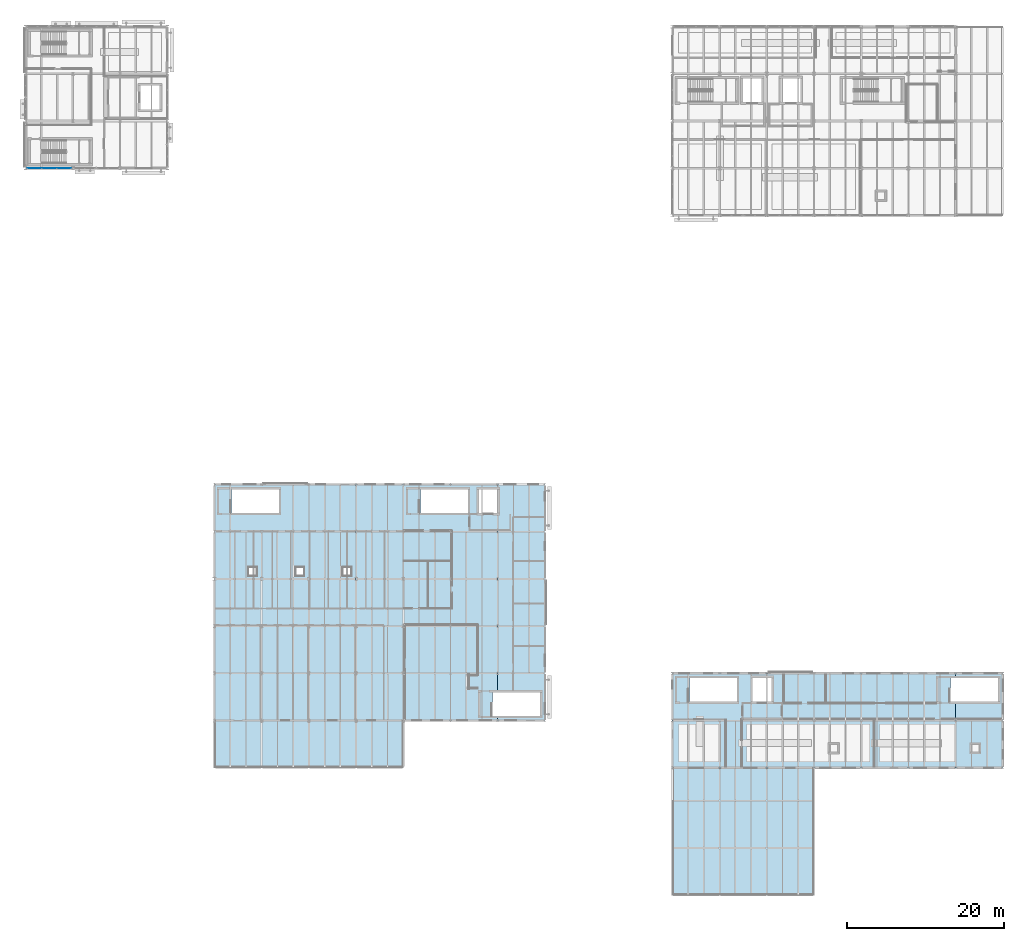
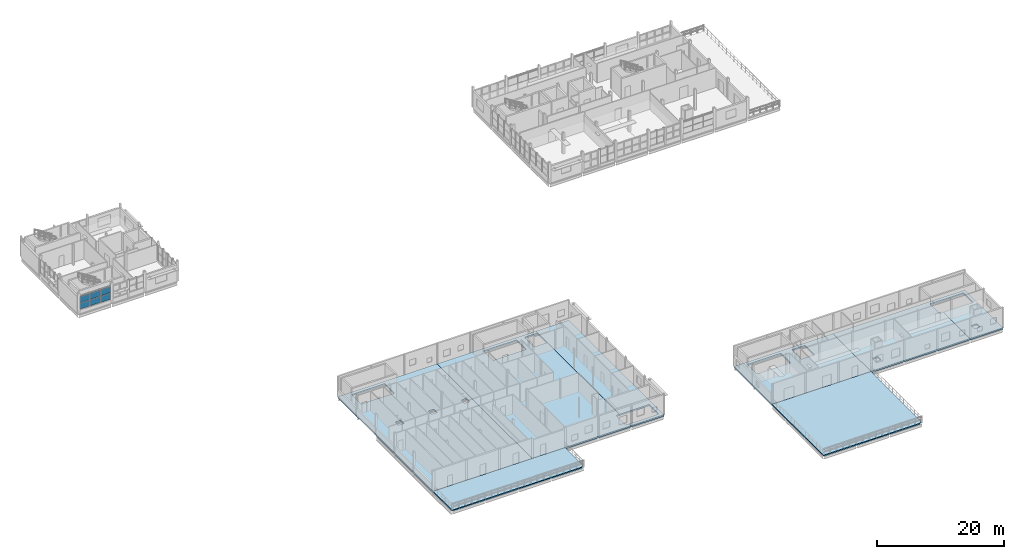
# One storey, part 21 of 45: 8 slabs, 6 plates, 1 element without a shape of its own.
"""IFC4 building model written with IfcOpenShell, lengths in metres."""

from ifc_helpers import new_model, si_unit, direction, frame, origin, origin_2d, place, context, subcontext, project, spatial, polyline, rectangle, outline, extrude, material, layer, layer_set, type_object, element, aggregate, save


model = new_model("IFC4")

# Units and contexts
model_context = context("Model", 3, precision=1e-05, world=origin(), true_north=direction((0.0, 1.0)))
body_context = subcontext(model_context, "Body", "Model", "MODEL_VIEW")
ifc_project = project(units=[si_unit("LENGTHUNIT", "METRE"), si_unit("AREAUNIT", "SQUARE_METRE"), si_unit("VOLUMEUNIT", "CUBIC_METRE"), si_unit("PLANEANGLEUNIT", "RADIAN"), si_unit("MASSUNIT", "GRAM", prefix="KILO")], contexts=[model_context])

# Site, building, storey
site_placement = place(None, origin())
site = spatial("IfcSite", under=ifc_project, at=site_placement, CompositionType="ELEMENT")
building_placement = place(site_placement, origin())
building = spatial("IfcBuilding", under=site, at=building_placement, Name="Siltcreek Boulevard Central Fire Station", CompositionType="ELEMENT")
storey_placement = place(building_placement, frame((0.0, 0.0, 10.0)))
storey = spatial("IfcBuildingStorey", under=building, at=storey_placement, Name="L03", CompositionType="ELEMENT", Elevation=10.0)

# Curtain wall, plates
ifc_material_1 = material(Name="Anodized aluminum and low-E insulated glazing", Category="aluminium")
curtain_wall_type = type_object("IfcCurtainWallType", Name="CW_SYS_16", PredefinedType="USERDEFINED", material=ifc_material_1)
curtain_wall_placement = place(storey_placement, origin())
curtain_wall = element("IfcCurtainWall", 1, at=curtain_wall_placement, inside=storey, type_object=curtain_wall_type, Name="L03 V3 unitised curtain wall CW-045", ObjectType="CURTAIN WALL", PredefinedType="USERDEFINED")
ifc_material_2 = material(Name="Low-E double insulated glass unit", Category="glass")
ifc_layer_1 = layer(ifc_material_2, 0.028076171875, Name="Low-E double insulated glass unit")
ifc_layer_set_1 = layer_set([ifc_layer_1], Name="Low-E double insulated glass unit")
plate_type = type_object("IfcPlateType", Name="CWP_GLZ_1", PredefinedType="CURTAIN_PANEL", material=ifc_layer_set_1)
plate_1_placement = place(storey_placement, frame((43.111572265625, 94.199951171875, 0.73974609375), z_axis=(0.0, 0.0, 1.0), x_axis=(1.0, 0.0, 0.0)))
plate_1 = element("IfcPlate", 2, at=plate_1_placement, type_object=plate_type, Name="CW-045 panel 1.1", PredefinedType="CURTAIN_PANEL", context=body_context, shape_type="SweptSolid", body=[
    extrude(rectangle(XDim=1.813232421875, YDim=0.028076171875, at=origin_2d()), origin(), (0.0, 0.0, 1.0), 1.194580078125),
])
plate_2_placement = place(storey_placement, frame((43.111572265625, 94.199951171875, 1.99462890625), z_axis=(0.0, 0.0, 1.0), x_axis=(1.0, 0.0, 0.0)))
plate_2 = element("IfcPlate", 3, at=plate_2_placement, type_object=plate_type, Name="CW-045 panel 1.2", PredefinedType="CURTAIN_PANEL", context=body_context, shape_type="SweptSolid", body=[
    extrude(rectangle(XDim=1.813232421875, YDim=0.028076171875, at=origin_2d()), origin(), (0.0, 0.0, 1.0), 1.194580078125),
])
plate_3_placement = place(storey_placement, frame((45.0, 94.199951171875, 0.73974609375), z_axis=(0.0, 0.0, 1.0), x_axis=(1.0, 0.0, 0.0)))
plate_3 = element("IfcPlate", 4, at=plate_3_placement, type_object=plate_type, Name="CW-045 panel 2.1", PredefinedType="CURTAIN_PANEL", context=body_context, shape_type="SweptSolid", body=[
    extrude(rectangle(XDim=1.84326171875, YDim=0.028076171875, at=origin_2d()), origin(), (0.0, 0.0, 1.0), 1.194580078125),
])
plate_4_placement = place(storey_placement, frame((45.0, 94.199951171875, 1.99462890625), z_axis=(0.0, 0.0, 1.0), x_axis=(1.0, 0.0, 0.0)))
plate_4 = element("IfcPlate", 5, at=plate_4_placement, type_object=plate_type, Name="CW-045 panel 2.2", PredefinedType="CURTAIN_PANEL", context=body_context, shape_type="SweptSolid", body=[
    extrude(rectangle(XDim=1.84326171875, YDim=0.028076171875, at=origin_2d()), origin(), (0.0, 0.0, 1.0), 1.194580078125),
])
plate_5_placement = place(storey_placement, frame((46.888427734375, 94.199951171875, 0.73974609375), z_axis=(0.0, 0.0, 1.0), x_axis=(1.0, 0.0, 0.0)))
plate_5 = element("IfcPlate", 6, at=plate_5_placement, type_object=plate_type, Name="CW-045 panel 3.1", PredefinedType="CURTAIN_PANEL", context=body_context, shape_type="SweptSolid", body=[
    extrude(rectangle(XDim=1.813232421875, YDim=0.028076171875, at=origin_2d()), origin(), (0.0, 0.0, 1.0), 1.194580078125),
])
plate_6_placement = place(storey_placement, frame((46.888427734375, 94.199951171875, 1.99462890625), z_axis=(0.0, 0.0, 1.0), x_axis=(1.0, 0.0, 0.0)))
plate_6 = element("IfcPlate", 7, at=plate_6_placement, type_object=plate_type, Name="CW-045 panel 3.2", PredefinedType="CURTAIN_PANEL", context=body_context, shape_type="SweptSolid", body=[
    extrude(rectangle(XDim=1.813232421875, YDim=0.028076171875, at=origin_2d()), origin(), (0.0, 0.0, 1.0), 1.194580078125),
])
aggregate(curtain_wall, [plate_1, plate_2, plate_3, plate_4, plate_5, plate_6])

# Slabs
ifc_material_3 = material(Name="Concrete C35/45", Category="concrete")
ifc_layer_2 = layer(ifc_material_3, 0.280029296875, Name="Concrete C35/45")
ifc_layer_set_2 = layer_set([ifc_layer_2], Name="Concrete C35/45")
slab_type_1 = type_object("IfcSlabType", Name="SL_FLR280", PredefinedType="FLOOR", material=ifc_layer_set_2)
slab_1_placement = place(storey_placement, frame((0.0, 0.0, -0.280029296875)))
element("IfcSlab", 8, at=slab_1_placement, inside=storey, type_object=slab_type_1, Name="L03 V2 structural floor slab SL-035", PredefinedType="FLOOR", context=body_context, shape_type="SweptSolid", body=[
    extrude(outline(polyline([(66.0, 54.0), (84.0, 54.0), (84.0, 24.0), (66.0, 24.0), (66.0, 54.0)]), holes=[polyline([(71.35009765625, 42.449951171875), (71.35009765625, 43.449951171875), (70.35009765625, 43.449951171875), (70.35009765625, 42.449951171875), (71.35009765625, 42.449951171875)]), polyline([(77.35009765625, 42.449951171875), (77.35009765625, 43.449951171875), (76.35009765625, 43.449951171875), (76.35009765625, 42.449951171875), (77.35009765625, 42.449951171875)]), polyline([(83.35009765625, 42.449951171875), (83.35009765625, 43.449951171875), (82.35009765625, 43.449951171875), (82.35009765625, 42.449951171875), (83.35009765625, 42.449951171875)]), polyline([(74.199951171875, 50.39990234375), (74.199951171875, 53.39990234375), (68.159912109375, 53.39990234375), (68.159912109375, 50.39990234375), (74.199951171875, 50.39990234375)])]), origin(), (0.0, 0.0, 1.0), 0.280029296875),
])
slab_2_placement = place(storey_placement, frame((0.0, 0.0, -0.280029296875)))
element("IfcSlab", 9, at=slab_2_placement, inside=storey, type_object=slab_type_1, Name="L03 V2 structural floor slab SL-036", PredefinedType="FLOOR", context=body_context, shape_type="SweptSolid", body=[
    extrude(outline(polyline([(102.0, 24.0), (84.0, 24.0), (84.0, 54.0), (102.0, 54.0), (102.0, 53.39990234375), (99.60009765625, 53.39990234375), (99.60009765625, 50.39990234375), (102.0, 50.39990234375), (102.0, 27.60009765625), (101.360107421875, 27.60009765625), (101.360107421875, 24.60009765625), (102.0, 24.60009765625), (102.0, 24.0)]), holes=[polyline([(98.199951171875, 50.39990234375), (98.199951171875, 53.39990234375), (92.159912109375, 53.39990234375), (92.159912109375, 50.39990234375), (98.199951171875, 50.39990234375)])]), origin(), (0.0, 0.0, 1.0), 0.280029296875),
])
slab_3_placement = place(storey_placement, frame((0.0, 0.0, -0.280029296875)))
element("IfcSlab", 10, at=slab_3_placement, inside=storey, type_object=slab_type_1, Name="L03 V2 structural floor slab SL-037", PredefinedType="FLOOR", context=body_context, shape_type="SweptSolid", body=[
    extrude(outline(polyline([(102.0, 54.0), (108.0, 54.0), (108.0, 24.0), (102.0, 24.0), (102.0, 24.60009765625), (107.39990234375, 24.60009765625), (107.39990234375, 27.60009765625), (102.0, 27.60009765625), (102.0, 50.39990234375), (102.0, 53.39990234375), (102.0, 54.0)])), origin(), (0.0, 0.0, 1.0), 0.280029296875),
])
slab_4_placement = place(storey_placement, frame((0.0, 0.0, -0.280029296875)))
element("IfcSlab", 11, at=slab_4_placement, inside=storey, type_object=slab_type_1, Name="L03 V6 structural floor slab SL-043", PredefinedType="FLOOR", context=body_context, shape_type="SweptSolid", body=[
    extrude(outline(polyline([(124.199951171875, 30.0), (142.199951171875, 30.0), (142.199951171875, 18.0), (124.199951171875, 18.0), (124.199951171875, 30.0)]), holes=[polyline([(132.39990234375, 26.39990234375), (132.39990234375, 29.39990234375), (126.360107421875, 29.39990234375), (126.360107421875, 26.39990234375), (132.39990234375, 26.39990234375)]), polyline([(136.800048828125, 26.39990234375), (136.800048828125, 29.39990234375), (134.39990234375, 29.39990234375), (134.39990234375, 26.39990234375), (136.800048828125, 26.39990234375)])]), origin(), (0.0, 0.0, 1.0), 0.280029296875),
])
slab_5_placement = place(storey_placement, frame((0.0, 0.0, -0.280029296875)))
element("IfcSlab", 12, at=slab_5_placement, inside=storey, type_object=slab_type_1, Name="L03 V6 structural floor slab SL-044", PredefinedType="FLOOR", context=body_context, shape_type="SweptSolid", body=[
    extrude(outline(polyline([(142.199951171875, 18.0), (142.199951171875, 30.0), (160.199951171875, 30.0), (160.199951171875, 29.39990234375), (159.56005859375, 29.39990234375), (159.56005859375, 26.39990234375), (160.199951171875, 26.39990234375), (160.199951171875, 18.0), (142.199951171875, 18.0)]), holes=[polyline([(145.179931640625, 20.97998046875), (144.219970703125, 20.97998046875), (144.219970703125, 20.02001953125), (145.179931640625, 20.02001953125), (145.179931640625, 20.97998046875)])]), origin(), (0.0, 0.0, 1.0), 0.280029296875),
])
slab_6_placement = place(storey_placement, frame((0.0, 0.0, -0.280029296875)))
element("IfcSlab", 13, at=slab_6_placement, inside=storey, type_object=slab_type_1, Name="L03 V6 structural floor slab SL-045", PredefinedType="FLOOR", context=body_context, shape_type="SweptSolid", body=[
    extrude(outline(polyline([(166.199951171875, 30.0), (166.199951171875, 18.0), (160.199951171875, 18.0), (160.199951171875, 26.39990234375), (165.60009765625, 26.39990234375), (165.60009765625, 29.39990234375), (160.199951171875, 29.39990234375), (160.199951171875, 30.0), (166.199951171875, 30.0)]), holes=[polyline([(163.179931640625, 20.97998046875), (162.219970703125, 20.97998046875), (162.219970703125, 20.02001953125), (163.179931640625, 20.02001953125), (163.179931640625, 20.97998046875)])]), origin(), (0.0, 0.0, 1.0), 0.280029296875),
])
ifc_layer_3 = layer(ifc_material_3, 0.2099609375, Name="Concrete C35/45")
ifc_layer_set_3 = layer_set([ifc_layer_3], Name="Concrete C35/45")
slab_type_2 = type_object("IfcSlabType", Name="SL_TER210", PredefinedType="FLOOR", material=ifc_layer_set_3)
slab_7_placement = place(storey_placement, frame((0.0, 0.0, -0.2099609375)))
element("IfcSlab", 14, at=slab_7_placement, inside=storey, type_object=slab_type_2, Name="L03 V2 outdoor crew terrace slab TR-038", PredefinedType="FLOOR", context=body_context, shape_type="SweptSolid", body=[
    extrude(outline(polyline([(66.0, 18.0), (89.550048828125, 18.0), (90.0, 18.449951171875), (90.0, 24.0), (66.0, 24.0), (66.0, 18.0)])), origin(), (0.0, 0.0, 1.0), 0.2099609375),
])
slab_8_placement = place(storey_placement, frame((0.0, 0.0, -0.2099609375)))
element("IfcSlab", 15, at=slab_8_placement, inside=storey, type_object=slab_type_2, Name="L03 V6 outdoor crew terrace slab TR-046", PredefinedType="FLOOR", context=body_context, shape_type="SweptSolid", body=[
    extrude(outline(polyline([(124.199951171875, 1.800048828125), (141.75, 1.800048828125), (142.199951171875, 2.25), (142.199951171875, 18.0), (124.199951171875, 18.0), (124.199951171875, 1.800048828125)])), origin(), (0.0, 0.0, 1.0), 0.2099609375),
])

save(model, "model.ifc")
